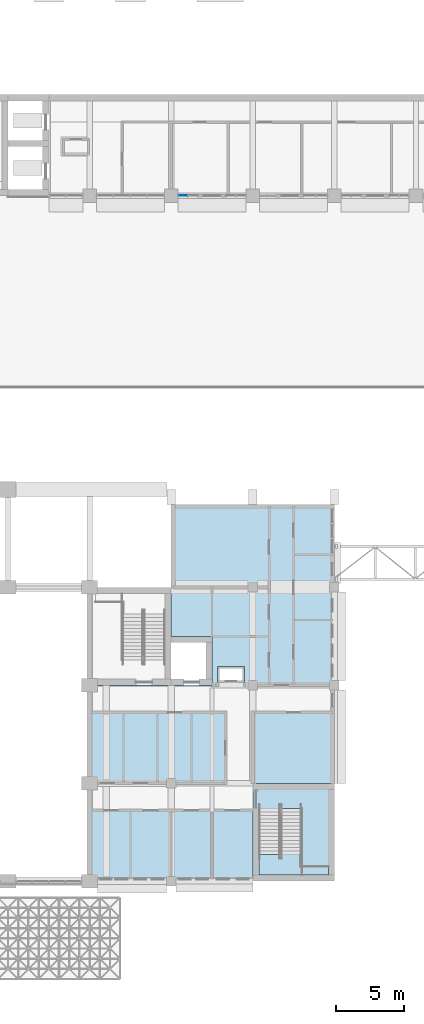
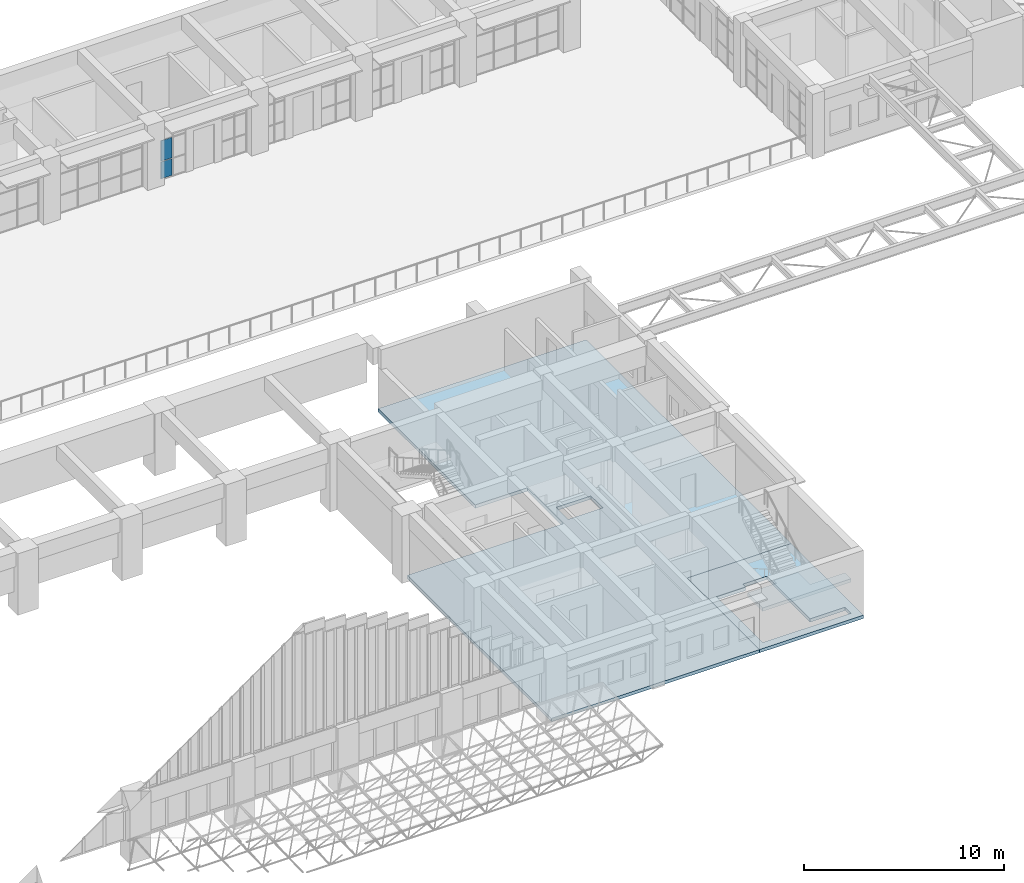
# One storey, part 51 of 103: 3 slabs, 2 plates, 2 elements without a shape of their own.
"""IFC4 building model written with IfcOpenShell, lengths in metres."""

import ifcopenshell
import ifcopenshell.guid

model = None  # the IFC model being written
_history = None  # IfcOwnerHistory: only IFC2X3 demands one
_inside = {}  # id of a spatial element -> (the spatial element, [elements in it])
_under = {}  # id of a project, library or spatial element -> (it, [spatial elements below it])
_declared = {}  # id of a project -> (the project, [libraries it declares])
_typed = {}  # id of a type object -> (the type object, [elements of that type])
_made_of = {}  # id of a material, layer set ... -> (it, [elements and type objects made of it])


def new_model(schema):
    """Start an empty IFC model of exactly this schema.

    Asked for "IFC4X3", IfcOpenShell would pick the latest addendum, in which some entities
    have other attributes; the version numbers below select the first issue.
    IFC2X3 requires an IfcOwnerHistory on every rooted entity: one is made here for all.
    """
    global model, _history
    if schema == "IFC4X3":
        model = ifcopenshell.file(schema_version=(4, 3, 0, 0))
    else:
        model = ifcopenshell.file(schema=schema)
    _inside.clear()
    _under.clear()
    _declared.clear()
    _typed.clear()
    _made_of.clear()
    _history = None
    if model.schema == "IFC2X3":
        org = make("IfcOrganization", Name="unknown")
        user = make(
            "IfcPersonAndOrganization",
            ThePerson=make("IfcPerson", FamilyName="unknown"),
            TheOrganization=org,
        )
        app = make(
            "IfcApplication",
            ApplicationDeveloper=org,
            Version="unknown",
            ApplicationFullName="unknown",
            ApplicationIdentifier="unknown",
        )
        _history = make(
            "IfcOwnerHistory",
            OwningUser=user,
            OwningApplication=app,
            ChangeAction="ADDED",
            CreationDate=0,
        )
    return model


def make(cls, **values):
    """One entity of the class cls with the attributes given. An attribute that is None is left unset."""
    return model.create_entity(
        cls, **{name: value for name, value in values.items() if value is not None}
    )


def rooted(cls, **values):
    """An entity with a GlobalId (a new one), such as an element, a storey or a relation."""
    return make(cls, GlobalId=ifcopenshell.guid.new(), OwnerHistory=_history, **values)


def si_unit(unit_type, name, prefix=None):
    """IfcSIUnit, for example si_unit("LENGTHUNIT", "METRE", prefix="MILLI")."""
    return make("IfcSIUnit", UnitType=unit_type, Prefix=prefix, Name=name)


def assignment(units):
    """IfcUnitAssignment: the units of a project."""
    return None if units is None else make("IfcUnitAssignment", Units=units)


def point(xyz):
    """IfcCartesianPoint."""
    return None if xyz is None else make("IfcCartesianPoint", Coordinates=xyz)


def direction(xyz):
    """IfcDirection."""
    return None if xyz is None else make("IfcDirection", DirectionRatios=xyz)


def frame(location, z_axis=None, x_axis=None):
    """IfcAxis2Placement3D, a coordinate frame: its origin and axes. An axis left out is left unset."""
    return make(
        "IfcAxis2Placement3D",
        Location=point(location),
        Axis=direction(z_axis),
        RefDirection=direction(x_axis),
    )


def frame_2d(location, x_axis=None):
    """IfcAxis2Placement2D, a coordinate frame in the plane: its origin and x axis."""
    return make(
        "IfcAxis2Placement2D", Location=point(location), RefDirection=direction(x_axis)
    )


def origin():
    """The frame at (0, 0, 0) with its axes left unset."""
    return frame((0.0, 0.0, 0.0))


def origin_2d():
    """The frame at (0, 0) in the plane with its x axis left unset."""
    return frame_2d((0.0, 0.0))


def place(relative_to, where):
    """IfcLocalPlacement: puts the frame where relative to a parent placement (None: the world)."""
    return make(
        "IfcLocalPlacement", PlacementRelTo=relative_to, RelativePlacement=where
    )


def context(
    kind, dimensions, precision=None, world=None, true_north=None, identifier=None
):
    """IfcGeometricRepresentationContext, for example the 3D "Model" context."""
    return make(
        "IfcGeometricRepresentationContext",
        ContextIdentifier=identifier,
        ContextType=kind,
        CoordinateSpaceDimension=dimensions,
        Precision=precision,
        WorldCoordinateSystem=world,
        TrueNorth=true_north,
    )


def subcontext(parent, identifier, kind, view, scale=None):
    """IfcGeometricRepresentationSubContext, for example "Body" below "Model"."""
    return make(
        "IfcGeometricRepresentationSubContext",
        ContextIdentifier=identifier,
        ContextType=kind,
        ParentContext=parent,
        TargetScale=scale,
        TargetView=view,
    )


def project(units=None, contexts=None):
    """IfcProject with its units and contexts."""
    return rooted(
        "IfcProject",
        Name="project",
        RepresentationContexts=contexts,
        UnitsInContext=assignment(units),
    )


def spatial(cls, under=None, at=None, **own):
    """A site, building, storey or space (cls), placed at a placement, below another one or the project."""
    s = rooted(cls, ObjectPlacement=at, **own)
    if under is not None:
        _under.setdefault(under.id(), (under, []))[1].append(s)
    return s


def polyline(points):
    """IfcPolyline through the points."""
    return make("IfcPolyline", Points=[point(p) for p in points])


def profile(cls, at=None, kind="AREA", **sizes):
    """A parametric profile (cls). Its sizes go by their IFC names, for example OverallWidth=200.0."""
    return make(cls, ProfileType=kind, Position=at, **sizes)


def rectangle(**sizes):
    """IfcRectangleProfileDef."""
    return profile("IfcRectangleProfileDef", **sizes)


def outline(outer, holes=None, kind="AREA"):
    """IfcArbitraryClosedProfileDef: a profile drawn as a closed curve; with holes, ...WithVoids."""
    if holes is None:
        return make("IfcArbitraryClosedProfileDef", ProfileType=kind, OuterCurve=outer)
    return make(
        "IfcArbitraryProfileDefWithVoids",
        ProfileType=kind,
        OuterCurve=outer,
        InnerCurves=holes,
    )


def extrude(swept, where, along, depth):
    """IfcExtrudedAreaSolid: the profile swept, set in the frame where, extruded along a direction by depth."""
    return make(
        "IfcExtrudedAreaSolid",
        SweptArea=swept,
        Position=where,
        ExtrudedDirection=direction(along),
        Depth=depth,
    )


def shape(context_of_items, identifier, shape_type, items):
    """IfcShapeRepresentation: the items that make up one representation, for example the "Body"."""
    return make(
        "IfcShapeRepresentation",
        ContextOfItems=context_of_items,
        RepresentationIdentifier=identifier,
        RepresentationType=shape_type,
        Items=items,
    )


def material(Name=None, Category=None):
    """IfcMaterial."""
    return make("IfcMaterial", Name=Name, Category=Category)


def layer(
    of_material, thickness, ventilated=None, Name=None, Category=None, Priority=None
):
    """IfcMaterialLayer: one layer of a wall or slab, of a material (None: an air gap)."""
    return make(
        "IfcMaterialLayer",
        Material=of_material,
        LayerThickness=thickness,
        IsVentilated=ventilated,
        Name=Name,
        Category=Category,
        Priority=Priority,
    )


def layer_set(layers, Name=None):
    """IfcMaterialLayerSet."""
    return make("IfcMaterialLayerSet", MaterialLayers=layers, LayerSetName=Name)


def made_of(thing, what):
    """Note that an element or type object is made of a material, layer set ...; save() writes the relation."""
    if what is not None:
        _made_of.setdefault(what.id(), (what, []))[1].append(thing)
    return thing


def type_object(cls, material=None, **own):
    """A type object (cls), such as IfcWallType, which elements share."""
    return made_of(rooted(cls, **own), material)


def element(
    cls,
    number,
    at=None,
    inside=None,
    cuts=None,
    type_object=None,
    material=None,
    context=None,
    identifier="Body",
    shape_type=None,
    held_by="IfcProductDefinitionShape",
    body=None,
    shapes=None,
    **own,
):
    """One element of the class cls, such as IfcWall. Its Tag is "e" and its number.

    at: its placement. inside: the storey or other place that contains it. cuts: it is an
    opening in that element (IfcRelVoidsElement). A single representation is given by context,
    identifier, shape_type and body (its items); several are given by shapes. held_by: the class
    of the entity that holds the representations. save() writes the other relations.
    """
    e = rooted(cls, Tag="e%d" % number, ObjectPlacement=at, **own)
    if body is not None:
        shapes = [shape(context, identifier, shape_type, body)]
    if shapes is not None:
        e.Representation = make(held_by, Representations=shapes)
    if inside is not None:
        _inside.setdefault(inside.id(), (inside, []))[1].append(e)
    if cuts is not None:
        rooted(
            "IfcRelVoidsElement", RelatingBuildingElement=cuts, RelatedOpeningElement=e
        )
    if type_object is not None:
        _typed.setdefault(type_object.id(), (type_object, []))[1].append(e)
    return made_of(e, material)


def aggregate(whole, parts):
    """IfcRelAggregates: a whole, such as a stair, and the parts it consists of."""
    return rooted("IfcRelAggregates", RelatingObject=whole, RelatedObjects=parts)


def save(model, path):
    """Write the relations noted so far, then the file.

    IfcRelAggregates (storeys below a building ...), IfcRelContainedInSpatialStructure (elements
    in a storey), IfcRelDefinesByType, IfcRelAssociatesMaterial and IfcRelDeclares: one each for
    every whole, place, type object, material and project.
    """
    for whole, parts in _under.values():
        aggregate(whole, parts)
    for where, things in _inside.values():
        rooted(
            "IfcRelContainedInSpatialStructure",
            RelatedElements=things,
            RelatingStructure=where,
        )
    for kind, things in _typed.values():
        rooted("IfcRelDefinesByType", RelatedObjects=things, RelatingType=kind)
    for what, things in _made_of.values():
        rooted("IfcRelAssociatesMaterial", RelatedObjects=things, RelatingMaterial=what)
    for by, libraries in _declared.values():
        rooted("IfcRelDeclares", RelatingContext=by, RelatedDefinitions=libraries)
    model.write(path)


model = new_model("IFC4")

# Units and contexts
model_context = context("Model", 3, precision=1e-05, world=origin(), true_north=direction((0.0, 1.0)))
body_context = subcontext(model_context, "Body", "Model", "MODEL_VIEW")
ifc_project = project(units=[si_unit("LENGTHUNIT", "METRE"), si_unit("AREAUNIT", "SQUARE_METRE"), si_unit("VOLUMEUNIT", "CUBIC_METRE"), si_unit("PLANEANGLEUNIT", "RADIAN"), si_unit("MASSUNIT", "GRAM", prefix="KILO")], contexts=[model_context])

# Site, building, storey
site_placement = place(None, origin())
site = spatial("IfcSite", under=ifc_project, at=site_placement, CompositionType="ELEMENT")
building_placement = place(site_placement, origin())
building = spatial("IfcBuilding", under=site, at=building_placement, Name="Laocheng Heights Fire and Rescue Headquarters", CompositionType="ELEMENT")
storey_placement = place(building_placement, frame((0.0, 0.0, 4.199951171875)))
storey = spatial("IfcBuildingStorey", under=building, at=storey_placement, Name="L01", CompositionType="ELEMENT", Elevation=4.199951171875)

# Curtain wall, plates
ifc_material_1 = material(Name="Dark anodised aluminium unitised curtain wall, low-e double glazing", Category="aluminium")
curtain_wall_type = type_object("IfcCurtainWallType", Name="CW 1450 x 3150 HQ SOUTH RIBBON", PredefinedType="NOTDEFINED", material=ifc_material_1)
curtain_wall_placement = place(storey_placement, origin())
curtain_wall = element("IfcCurtainWall", 1, at=curtain_wall_placement, inside=storey, type_object=curtain_wall_type, Name="X5-X HQ SOUTH L01", PredefinedType="NOTDEFINED")
ifc_material_2 = material(Name="Low-e double glazed unit, laminated inner pane")
ifc_layer_1 = layer(ifc_material_2, 0.028076171875)
ifc_layer_set_1 = layer_set([ifc_layer_1], Name="Low-e double glazed unit, laminated inner pane")
plate_type = type_object("IfcPlateType", Name="CW VISION PANEL 28 X", PredefinedType="CURTAIN_PANEL", material=ifc_layer_set_1)
plate_1_placement = place(storey_placement, frame((60.87744140625, 50.39990234375, 0.050048828125), z_axis=(0.0, 0.0, 1.0), x_axis=(1.0, 0.0, 0.0)))
plate_1 = element("IfcPlate", 2, at=plate_1_placement, type_object=plate_type, Name="X5-X panel 1.1", PredefinedType="CURTAIN_PANEL", context=body_context, shape_type="SweptSolid", body=[
    extrude(rectangle(XDim=0.635009765625, YDim=0.028076171875, at=origin_2d()), origin(), (0.0, 0.0, 1.0), 1.02490234375),
])
plate_2_placement = place(storey_placement, frame((60.87744140625, 50.39990234375, 1.125), z_axis=(0.0, 0.0, 1.0), x_axis=(1.0, 0.0, 0.0)))
plate_2 = element("IfcPlate", 3, at=plate_2_placement, type_object=plate_type, Name="X5-X panel 1.2", PredefinedType="CURTAIN_PANEL", context=body_context, shape_type="SweptSolid", body=[
    extrude(rectangle(XDim=0.635009765625, YDim=0.028076171875, at=origin_2d()), origin(), (0.0, 0.0, 1.0), 1.25),
])
aggregate(curtain_wall, [plate_1, plate_2])

# Slab
ifc_material_3 = material(Name="Concrete C40", Category="concrete")
ifc_layer_2 = layer(ifc_material_3, 0.199951171875)
ifc_layer_set_2 = layer_set([ifc_layer_2], Name="Concrete C40")
slab_type_1 = type_object("IfcSlabType", Name="RC FLOOR SLAB PAVILION 200", PredefinedType="FLOOR", material=ifc_layer_set_2)
slab_1_placement = place(storey_placement, frame((0.0, 0.0, -0.199951171875)))
element("IfcSlab", 4, at=slab_1_placement, inside=storey, type_object=slab_type_1, Name="Pavilion first floor slab", PredefinedType="FLOOR", context=body_context, shape_type="SweptSolid", body=[
    extrude(outline(polyline([(54.0, 0.0), (66.0, 0.0), (66.0, 7.199951171875), (72.0, 7.199951171875), (72.0, 27.699951171875), (60.0, 27.699951171875), (60.0, 18.0), (63.0, 18.0), (63.0, 14.39990234375), (54.0, 14.39990234375), (54.0, 0.0)]), holes=[polyline([(65.39990234375, 14.60009765625), (63.39990234375, 14.60009765625), (63.39990234375, 15.800048828125), (65.39990234375, 15.800048828125), (65.39990234375, 14.60009765625)])]), origin(), (0.0, 0.0, 1.0), 0.199951171875),
])

# Stair, slabs
ifc_material_4 = material(Name="Concrete C40", Category="concrete")
stair_type = type_object("IfcStairType", Name="RC STAIR 1400 TWO FLIGHTS 28 RISERS OF 150 GOING 260", PredefinedType="HALF_TURN_STAIR", material=ifc_material_4)
stair_placement = place(storey_placement, origin())
stair = element("IfcStair", 5, at=stair_placement, inside=storey, type_object=stair_type, Name="Stair E2 (L01 to L02)", PredefinedType="HALF_TURN_STAIR")
ifc_material_5 = material(Name="Concrete C40", Category="concrete")
ifc_layer_3 = layer(ifc_material_5, 0.199951171875)
ifc_layer_set_3 = layer_set([ifc_layer_3], Name="Concrete C40")
slab_type_2 = type_object("IfcSlabType", Name="STAIR FLOOR LANDING 200", PredefinedType="LANDING", material=ifc_layer_set_3)
slab_2_placement = place(storey_placement, frame((0.0, 0.0, -0.199951171875)))
slab_2 = element("IfcSlab", 6, at=slab_2_placement, type_object=slab_type_2, Name="Stair E2 floor landing L01", PredefinedType="LANDING", context=body_context, shape_type="SweptSolid", body=[
    extrude(outline(polyline([(66.0, 7.199951171875), (72.0, 7.199951171875), (72.0, 0.0), (66.0, 0.0), (66.0, 7.199951171875)]), holes=[polyline([(69.52490234375, 0.449951171875), (71.550048828125, 0.449951171875), (71.550048828125, 1.050048828125), (69.52490234375, 1.050048828125), (69.52490234375, 2.270263671875), (69.52490234375, 5.346923828125), (68.125, 5.346923828125), (68.125, 5.0498046875), (66.449951171875, 5.0498046875), (66.449951171875, 1.972900390625), (66.449951171875, 0.449951171875), (68.125, 0.449951171875), (69.52490234375, 0.449951171875)])]), origin(), (0.0, 0.0, 1.0), 0.199951171875),
])
ifc_material_6 = material(Name="Concrete C40", Category="concrete")
ifc_layer_4 = layer(ifc_material_6, 0.201904296875)
ifc_layer_set_4 = layer_set([ifc_layer_4], Name="Concrete C40")
slab_type_3 = type_object("IfcSlabType", Name="STAIR HALF LANDING 202", PredefinedType="LANDING", material=ifc_layer_set_4)
slab_3_placement = place(storey_placement, frame((0.0, 0.0, 1.900146484375)))
slab_3 = element("IfcSlab", 7, at=slab_3_placement, type_object=slab_type_3, Name="E2-L01 landing 1", PredefinedType="LANDING", context=body_context, shape_type="SweptSolid", body=[
    extrude(outline(polyline([(71.550048828125, 1.050048828125), (71.550048828125, 0.449951171875), (69.52490234375, 0.449951171875), (68.125, 0.449951171875), (66.449951171875, 0.449951171875), (66.449951171875, 1.972900390625), (68.125, 1.972900390625), (68.125, 2.270263671875), (69.52490234375, 2.270263671875), (69.52490234375, 1.050048828125), (71.550048828125, 1.050048828125)])), origin(), (0.0, 0.0, 1.0), 0.201904296875),
])
aggregate(stair, [slab_3, slab_2])

save(model, "model.ifc")
